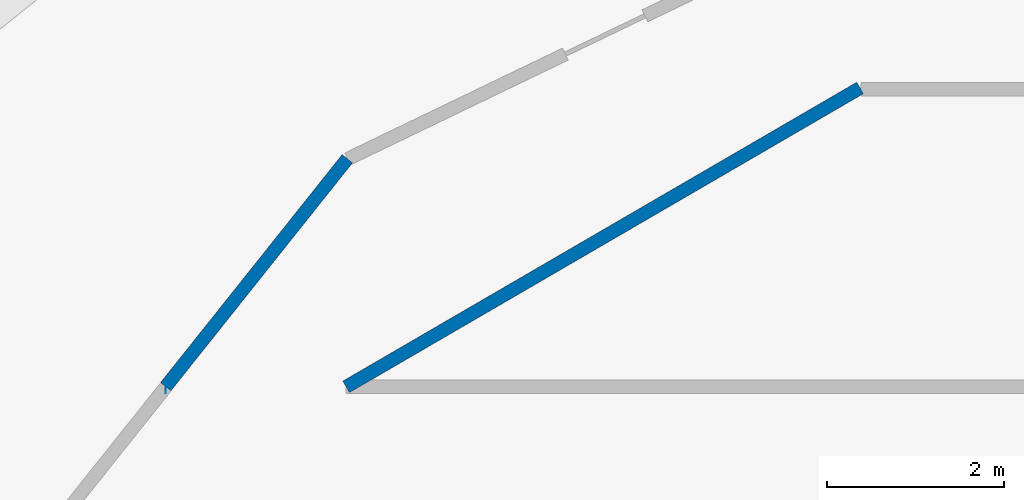
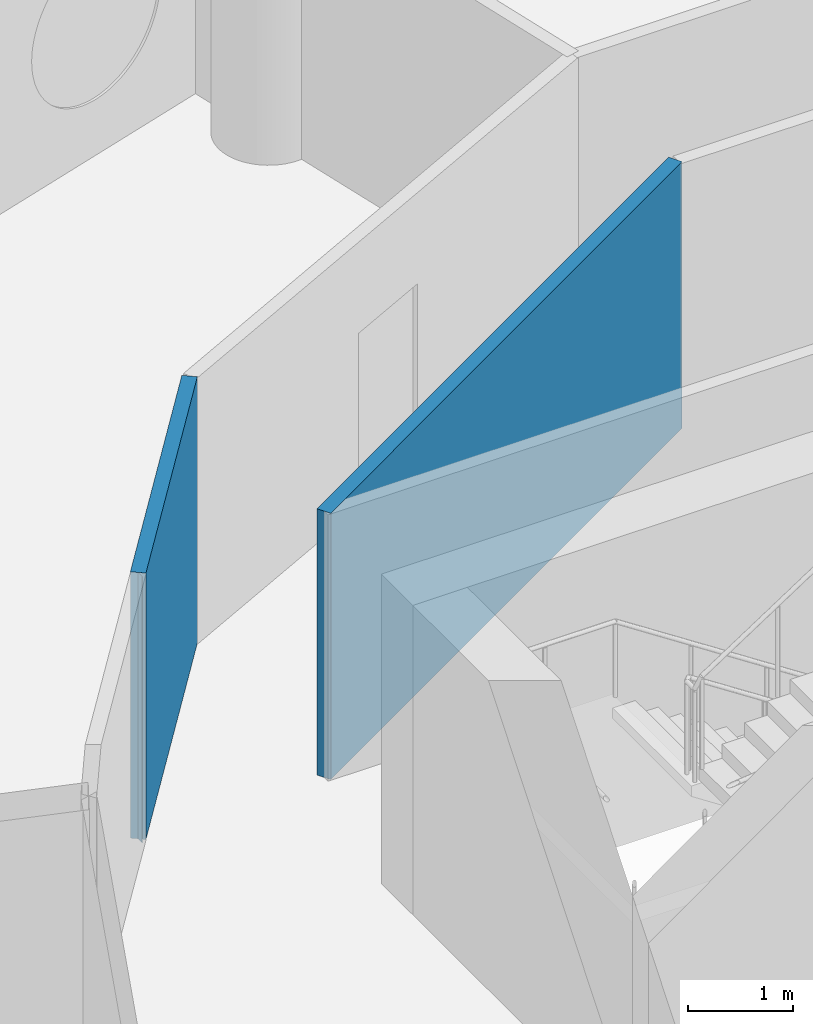
# One storey, part 7 of 13: 3 walls.
"""IFC4 building model written with IfcOpenShell, lengths in metres."""

from ifc_helpers import new_model, si_unit, direction, frame, frame_2d, origin, place, context, subcontext, project, spatial, rectangle, extrude, material, layer, layer_set, type_object, element, save


model = new_model("IFC4")

# Units and contexts
model_context = context("Model", 3, precision=1e-05, world=origin(), true_north=direction((0.0, 1.0)))
body_context = subcontext(model_context, "Body", "Model", "MODEL_VIEW")
ifc_project = project(units=[si_unit("LENGTHUNIT", "METRE"), si_unit("AREAUNIT", "SQUARE_METRE"), si_unit("VOLUMEUNIT", "CUBIC_METRE"), si_unit("PLANEANGLEUNIT", "RADIAN"), si_unit("MASSUNIT", "GRAM", prefix="KILO")], contexts=[model_context])

# Site, building, storey
site_placement = place(None, origin())
site = spatial("IfcSite", under=ifc_project, at=site_placement, CompositionType="ELEMENT")
building_placement = place(site_placement, origin())
building = spatial("IfcBuilding", under=site, at=building_placement, Name="Tracery Tower", CompositionType="ELEMENT")
storey_placement = place(building_placement, frame((0.0, 0.0, 270.60009765625)))
storey = spatial("IfcBuildingStorey", under=building, at=storey_placement, Name="L70", CompositionType="ELEMENT", Elevation=270.60009765625)

# Walls
ifc_material = material(Name="Plasterboard on steel studs", Category="steel")
ifc_layer = layer(ifc_material, 0.14990234375)
ifc_layer_set = layer_set([ifc_layer], Name="Partition 150 corridor wall")
wall_type = type_object("IfcWallType", Name="Partition 150 corridor wall", PredefinedType="PARTITIONING", material=ifc_layer_set)
wall_1_placement = place(storey_placement, frame((-9.092041015625, 8.800048828125, 0.0), z_axis=(0.0, 0.0, 1.0), x_axis=(0.864470922103, 0.502682827277, 0.0)))
element("IfcWall", 1, at=wall_1_placement, inside=storey, type_object=wall_type, Name="Corridor wall RC5-001", PredefinedType="PARTITIONING", context=body_context, shape_type="SweptSolid", body=[
    extrude(rectangle(XDim=6.7353515625, YDim=0.14990234375, at=frame_2d((3.36767578125, 0.0))), origin(), (0.0, 0.0, 1.0), 3.099853515625),
])
wall_2_placement = place(storey_placement, frame((-11.134033203125, 8.800048828125, 0.0), z_axis=(0.0, 0.0, 1.0), x_axis=(-1.0, 0.0, 0.0)))
element("IfcWall", 2, at=wall_2_placement, inside=storey, type_object=wall_type, Name="Corridor wall RC5-008", PredefinedType="PARTITIONING", context=body_context, shape_type="SweptSolid", body=[
    extrude(rectangle(XDim=0.0029296875, YDim=0.14990234375, at=frame_2d((0.00146484375, 0.0))), origin(), (0.0, 0.0, 1.0), 3.099853515625),
])
wall_3_placement = place(storey_placement, frame((-11.135986328125, 8.802001953125, 0.0), z_axis=(0.0, 0.0, 1.0), x_axis=(0.623151397235, 0.782101231379, 0.0)))
element("IfcWall", 3, at=wall_3_placement, inside=storey, type_object=wall_type, Name="Corridor wall RC5-009", PredefinedType="PARTITIONING", context=body_context, shape_type="SweptSolid", body=[
    extrude(rectangle(XDim=3.30078125, YDim=0.14990234375, at=frame_2d((1.650390625, 0.0))), origin(), (0.0, 0.0, 1.0), 3.099853515625),
])

save(model, "model.ifc")
